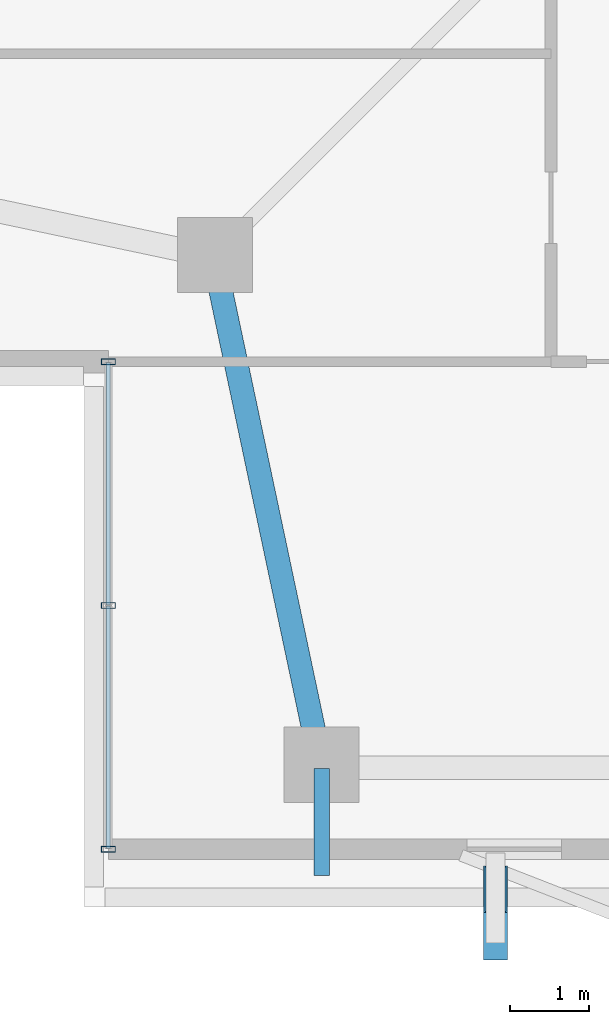
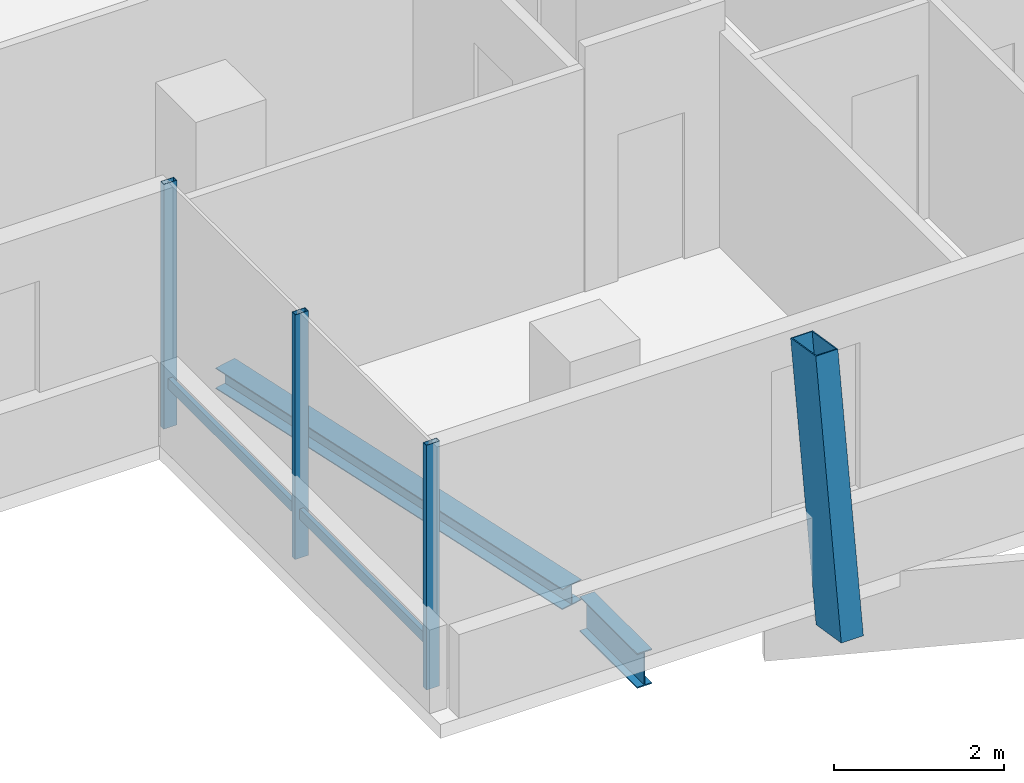
# One storey, part 2 of 26: 6 members, 2 beams, 1 element without a shape of its own.
"""IFC4 building model written with IfcOpenShell, lengths in metres."""

from ifc_helpers import new_model, si_unit, direction, frame, origin, origin_2d, place, context, subcontext, project, spatial, hollow_rectangle, i_section, extrude, material, layer, layer_set, material_profile, profile_set, type_object, element, aggregate, save


model = new_model("IFC4")

# Units and contexts
model_context = context("Model", 3, precision=1e-05, world=origin(), true_north=direction((0.0, 1.0)))
body_context = subcontext(model_context, "Body", "Model", "MODEL_VIEW")
ifc_project = project(units=[si_unit("LENGTHUNIT", "METRE"), si_unit("AREAUNIT", "SQUARE_METRE"), si_unit("VOLUMEUNIT", "CUBIC_METRE"), si_unit("PLANEANGLEUNIT", "RADIAN"), si_unit("MASSUNIT", "GRAM", prefix="KILO")], contexts=[model_context])

# Site, building, storey
site_placement = place(None, origin())
site = spatial("IfcSite", under=ifc_project, at=site_placement, CompositionType="ELEMENT")
building_placement = place(site_placement, origin())
building = spatial("IfcBuilding", under=site, at=building_placement, Name="Belovzor Exchange Tower", CompositionType="ELEMENT")
storey_placement = place(building_placement, frame((0.0, 0.0, 295.5)))
storey = spatial("IfcBuildingStorey", under=building, at=storey_placement, Name="L73", CompositionType="ELEMENT", Elevation=295.5)

# Beam
ifc_material_1 = material(Name="Steel S355", Category="steel")
ifc_material_profile_1 = material_profile(ifc_material_1, i_section(OverallWidth=0.199951171875, OverallDepth=0.5, WebThickness=0.01025390625, FlangeThickness=0.01611328125, at=origin_2d()))
ifc_profile_set_1 = profile_set([ifc_material_profile_1], Name="Steel S355")
beam_type_1 = type_object("IfcBeamType", Name="Planted Balcony Cantilever Beam IPE 500", PredefinedType="BEAM", material=ifc_profile_set_1)
beam_1_placement = place(storey_placement, frame((15.0, 7.15087890625, -0.489990234375), z_axis=(0.0, -1.0, 0.0), x_axis=(1.0, 0.0, 0.0)))
element("IfcBeam", 1, at=beam_1_placement, inside=storey, type_object=beam_type_1, Name="BC-500 Planted Balcony Cantilever Beam IPE 500", PredefinedType="BEAM", context=body_context, shape_type="SweptSolid", body=[
    extrude(i_section(OverallWidth=0.199951171875, OverallDepth=0.5, WebThickness=0.01025390625, FlangeThickness=0.01611328125, at=origin_2d()), origin(), (0.0, 0.0, 1.0), 1.350830078125),
])

# Curtain wall, members
ifc_material_2 = material(Name="Anodised Aluminium Framing", Category="aluminium")
ifc_layer = layer(ifc_material_2, 0.195068359375)
ifc_layer_set = layer_set([ifc_layer], Name="Anodised Aluminium Framing")
curtain_wall_type = type_object("IfcCurtainWallType", Name="Notched Re-Entrant Corner Unitised Curtain Wall", PredefinedType="NOTDEFINED", material=ifc_layer_set)
curtain_wall_placement = place(storey_placement, origin())
curtain_wall = element("IfcCurtainWall", 2, at=curtain_wall_placement, inside=storey, type_object=curtain_wall_type, Name="CW5 Notched Re-Entrant Corner Unitised Curtain Wall L73", PredefinedType="NOTDEFINED")
ifc_material_3 = material(Name="Steel S355", Category="steel")
ifc_material_profile_2 = material_profile(ifc_material_3, hollow_rectangle(XDim=0.074951171875, YDim=0.179931640625, WallThickness=0.0048828125, at=origin_2d()))
ifc_profile_set_2 = profile_set([ifc_material_profile_2], Name="Steel S355")
member_type_1 = type_object("IfcMemberType", Name="Thermally Broken Curtain Wall Mullion 180x75", PredefinedType="MULLION", material=ifc_profile_set_2)
member_1_placement = place(storey_placement, frame((12.300048828125, 6.1298828125, 0.0), z_axis=(0.0, 0.0, 1.0), x_axis=(0.0, 1.0, 0.0)))
member_1 = element("IfcMember", 3, at=member_1_placement, type_object=member_type_1, Name="CW-M180 Curtain Wall Mullion 1", PredefinedType="MULLION", context=body_context, shape_type="SweptSolid", body=[
    extrude(hollow_rectangle(XDim=0.074951171875, YDim=0.179931640625, WallThickness=0.0048828125, at=origin_2d()), origin(), (0.0, 0.0, 1.0), 3.510009765625),
])
member_2_placement = place(storey_placement, frame((12.300048828125, 9.215087890625, 0.0), z_axis=(0.0, 0.0, 1.0), x_axis=(0.0, 1.0, 0.0)))
member_2 = element("IfcMember", 4, at=member_2_placement, type_object=member_type_1, Name="CW-M180 Curtain Wall Mullion 2", PredefinedType="MULLION", context=body_context, shape_type="SweptSolid", body=[
    extrude(hollow_rectangle(XDim=0.074951171875, YDim=0.179931640625, WallThickness=0.0048828125, at=origin_2d()), origin(), (0.0, 0.0, 1.0), 3.510009765625),
])
member_3_placement = place(storey_placement, frame((12.300048828125, 12.300048828125, 0.0), z_axis=(0.0, 0.0, 1.0), x_axis=(0.0, 1.0, 0.0)))
member_3 = element("IfcMember", 5, at=member_3_placement, type_object=member_type_1, Name="CW-M180 Curtain Wall Mullion 3", PredefinedType="MULLION", context=body_context, shape_type="SweptSolid", body=[
    extrude(hollow_rectangle(XDim=0.074951171875, YDim=0.179931640625, WallThickness=0.0048828125, at=origin_2d()), origin(), (0.0, 0.0, 1.0), 3.510009765625),
])
ifc_material_4 = material(Name="Steel S355", Category="steel")
ifc_material_profile_3 = material_profile(ifc_material_4, hollow_rectangle(XDim=0.06005859375, YDim=0.14990234375, WallThickness=0.00390625, at=origin_2d()))
ifc_profile_set_3 = profile_set([ifc_material_profile_3], Name="Steel S355")
member_type_2 = type_object("IfcMemberType", Name="Thermally Broken Curtain Wall Transom 150x60", PredefinedType="USERDEFINED", material=ifc_profile_set_3)
member_4_placement = place(storey_placement, frame((12.300048828125, 6.137939453125, 0.632080078125), z_axis=(0.0, 1.0, 0.0), x_axis=(-1.0, 0.0, 0.0)))
member_4 = element("IfcMember", 6, at=member_4_placement, type_object=member_type_2, Name="CW-T150 Curtain Wall Transom 1", ObjectType="TRANSOM", PredefinedType="USERDEFINED", context=body_context, shape_type="SweptSolid", body=[
    extrude(hollow_rectangle(XDim=0.06005859375, YDim=0.14990234375, WallThickness=0.00390625, at=origin_2d()), origin(), (0.0, 0.0, 1.0), 3.069091796875),
])
member_5_placement = place(storey_placement, frame((12.300048828125, 9.222900390625, 0.632080078125), z_axis=(0.0, 1.0, 0.0), x_axis=(-1.0, 0.0, 0.0)))
member_5 = element("IfcMember", 7, at=member_5_placement, type_object=member_type_2, Name="CW-T150 Curtain Wall Transom 2", ObjectType="TRANSOM", PredefinedType="USERDEFINED", context=body_context, shape_type="SweptSolid", body=[
    extrude(hollow_rectangle(XDim=0.06005859375, YDim=0.14990234375, WallThickness=0.00390625, at=origin_2d()), origin(), (0.0, 0.0, 1.0), 3.069091796875),
])
aggregate(curtain_wall, [member_1, member_2, member_3, member_4, member_5])

# Member
ifc_material_5 = material(Name="Extruded Architectural Terracotta on Steel S355 Carrier", Category="masonry")
ifc_material_profile_4 = material_profile(ifc_material_5, hollow_rectangle(XDim=0.300048828125, YDim=0.60009765625, WallThickness=0.01611328125, at=origin_2d()))
ifc_profile_set_4 = profile_set([ifc_material_profile_4], Name="Extruded Architectural Terracotta on Steel S355 Carrier")
member_type_3 = type_object("IfcMemberType", Name="Upper Crown Terracotta Fin Assembly 550", PredefinedType="USERDEFINED", material=ifc_profile_set_4)
member_6_placement = place(storey_placement, frame((17.199951171875, 5.02490234375, -0.239990234375), z_axis=(0.0, 0.158015573692, 0.987436619977), x_axis=(-1.0, 0.0, 0.0)))
element("IfcMember", 8, at=member_6_placement, inside=storey, type_object=member_type_3, Name="FIN-TC055 Terracotta Facade Fin L73 S1", ObjectType="FIN", PredefinedType="USERDEFINED", context=body_context, shape_type="SweptSolid", body=[
    extrude(hollow_rectangle(XDim=0.300048828125, YDim=0.60009765625, WallThickness=0.01611328125, at=origin_2d()), origin(), (0.0, 0.0, 1.0), 3.797607421875),
])

# Beam
ifc_material_6 = material(Name="Steel S355", Category="steel")
ifc_material_profile_5 = material_profile(ifc_material_6, i_section(OverallWidth=0.300048828125, OverallDepth=0.300048828125, WebThickness=0.008544921875, FlangeThickness=0.013916015625, at=origin_2d()))
ifc_profile_set_5 = profile_set([ifc_material_profile_5], Name="Steel S355")
beam_type_2 = type_object("IfcBeamType", Name="Zone 6 Primary Girder HEA 300", PredefinedType="BEAM", material=ifc_profile_set_5)
beam_2_placement = place(storey_placement, frame((13.68505859375, 13.375, -0.389892578125), z_axis=(0.20705894691, -0.978328468616, 0.0), x_axis=(0.978328468616, 0.20705894691, 0.0)))
element("IfcBeam", 9, at=beam_2_placement, inside=storey, type_object=beam_type_2, Name="FG-Z6 Zone 6 Primary Girder HEA 300", PredefinedType="BEAM", context=body_context, shape_type="SweptSolid", body=[
    extrude(i_section(OverallWidth=0.300048828125, OverallDepth=0.300048828125, WebThickness=0.008544921875, FlangeThickness=0.013916015625, at=origin_2d()), origin(), (0.0, 0.0, 1.0), 6.090087890625),
])

save(model, "model.ifc")
